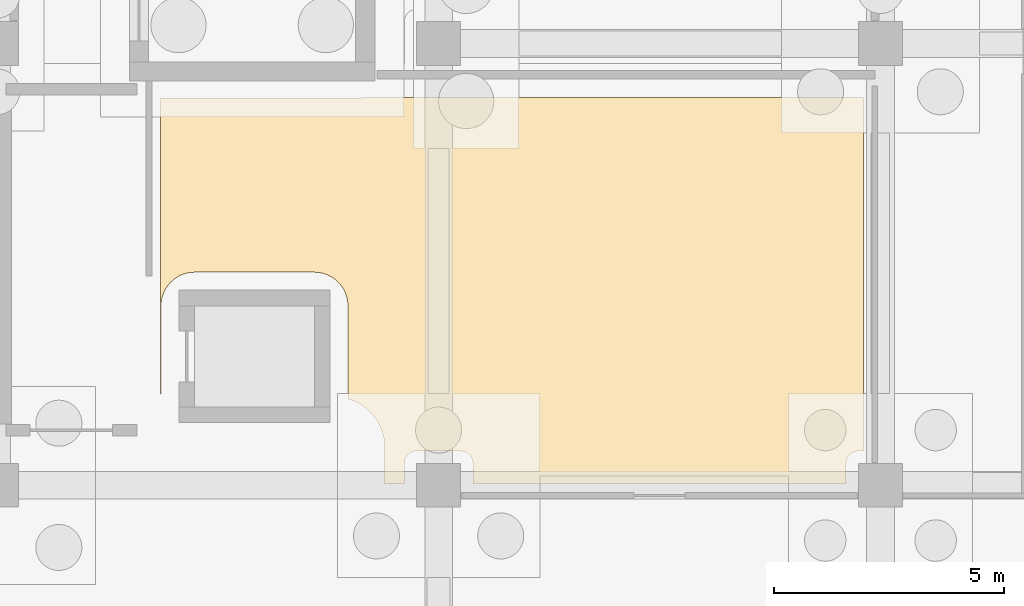
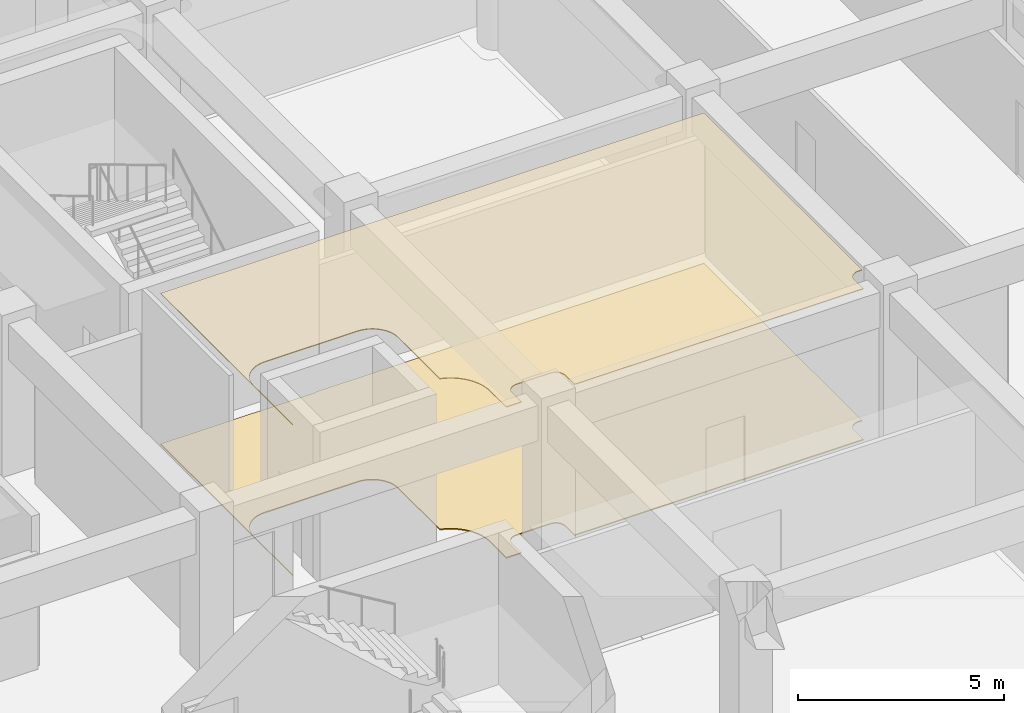
# One storey, part 27 of 47: 2 coverings.
"""IFC4 building model written with IfcOpenShell, lengths in metres."""

from ifc_helpers import new_model, si_unit, direction, frame, origin, place, context, subcontext, project, spatial, polyline, outline, extrude, material, layer, layer_set, type_object, element, save


model = new_model("IFC4")

# Units and contexts
model_context = context("Model", 3, precision=1e-05, world=origin(), true_north=direction((0.0, 1.0)))
body_context = subcontext(model_context, "Body", "Model", "MODEL_VIEW")
ifc_project = project(units=[si_unit("LENGTHUNIT", "METRE"), si_unit("AREAUNIT", "SQUARE_METRE"), si_unit("VOLUMEUNIT", "CUBIC_METRE"), si_unit("PLANEANGLEUNIT", "RADIAN"), si_unit("MASSUNIT", "GRAM", prefix="KILO")], contexts=[model_context])

# Site, building, storey
site_placement = place(None, origin())
site = spatial("IfcSite", under=ifc_project, at=site_placement, CompositionType="ELEMENT")
building_placement = place(site_placement, origin())
building = spatial("IfcBuilding", under=site, at=building_placement, Name="Cendralis Terraced Arcade", CompositionType="ELEMENT")
storey_placement = place(building_placement, frame((0.0, 0.0, -4.800048828125)))
storey = spatial("IfcBuildingStorey", under=building, at=storey_placement, Name="B1", CompositionType="ELEMENT", Elevation=-4.800048828125)

# Coverings
ifc_material_1 = material(Name="Gypsum plasterboard acoustic partition")
ifc_layer_1 = layer(ifc_material_1, 0.02490234375, Name="COV-CEIL-ACOU-25")
ifc_layer_set_1 = layer_set([ifc_layer_1], Name="Gypsum plasterboard acoustic partition")
covering_type_1 = type_object("IfcCoveringType", Name="COV-CEIL-ACOU-25", PredefinedType="CEILING", material=ifc_layer_set_1)
covering_1_placement = place(storey_placement, frame((0.0, 0.0, 4.47509765625)))
element("IfcCovering", 1, at=covering_1_placement, inside=storey, type_object=covering_type_1, Name="Acoustic Soffit Ceiling B1-008", PredefinedType="CEILING", context=body_context, shape_type="SweptSolid", body=[
    extrude(outline(polyline([(51.56005859375, 27.610107421875), (55.800048828125, 27.610107421875), (55.80615234375, 27.610107421875), (55.81201171875, 27.610107421875), (55.818115234375, 27.6103515625), (55.859375, 27.612548828125), (55.87158203125, 27.61328125), (55.88330078125, 27.614501953125), (55.8955078125, 27.615966796875), (55.936279296875, 27.6220703125), (55.9482421875, 27.624267578125), (55.9599609375, 27.62646484375), (55.9716796875, 27.629150390625), (55.97509765625, 27.6298828125), (66.830078125, 27.6298828125), (66.830078125, 19.945068359375), (66.72509765625, 19.945068359375), (66.712646484375, 19.944580078125), (66.710693359375, 19.944580078125), (66.686279296875, 19.942138671875), (66.684326171875, 19.94189453125), (66.660400390625, 19.93701171875), (66.658447265625, 19.9365234375), (66.635009765625, 19.929443359375), (66.633056640625, 19.928955078125), (66.610595703125, 19.91943359375), (66.608642578125, 19.918701171875), (66.5869140625, 19.906982421875), (66.58544921875, 19.906005859375), (66.56494140625, 19.892333984375), (66.5634765625, 19.891357421875), (66.54443359375, 19.875732421875), (66.54296875, 19.87451171875), (66.525634765625, 19.85693359375), (66.5244140625, 19.855712890625), (66.5087890625, 19.836669921875), (66.507568359375, 19.8349609375), (66.493896484375, 19.814697265625), (66.492919921875, 19.81298828125), (66.4814453125, 19.791259765625), (66.48046875, 19.78955078125), (66.47119140625, 19.766845703125), (66.470458984375, 19.764892578125), (66.46337890625, 19.74169921875), (66.462890625, 19.739501953125), (66.4580078125, 19.715576171875), (66.457763671875, 19.713623046875), (66.455322265625, 19.689208984375), (66.455322265625, 19.687255859375), (66.455078125, 19.675048828125), (66.455078125, 19.22998046875), (58.344970703125, 19.22998046875), (58.344970703125, 19.675048828125), (58.3447265625, 19.687255859375), (58.344482421875, 19.689208984375), (58.34228515625, 19.713623046875), (58.341796875, 19.715576171875), (58.337158203125, 19.739501953125), (58.336669921875, 19.74169921875), (58.32958984375, 19.764892578125), (58.328857421875, 19.766845703125), (58.319580078125, 19.78955078125), (58.318603515625, 19.791259765625), (58.30712890625, 19.81298828125), (58.30615234375, 19.814697265625), (58.29248046875, 19.8349609375), (58.291259765625, 19.836669921875), (58.275634765625, 19.855712890625), (58.2744140625, 19.85693359375), (58.257080078125, 19.87451171875), (58.255615234375, 19.875732421875), (58.236572265625, 19.891357421875), (58.235107421875, 19.892333984375), (58.214599609375, 19.906005859375), (58.212890625, 19.906982421875), (58.19140625, 19.918701171875), (58.189453125, 19.91943359375), (58.1669921875, 19.928955078125), (58.1650390625, 19.929443359375), (58.1416015625, 19.9365234375), (58.1396484375, 19.93701171875), (58.115478515625, 19.94189453125), (58.113525390625, 19.942138671875), (58.089111328125, 19.944580078125), (58.08740234375, 19.944580078125), (58.074951171875, 19.945068359375), (57.125, 19.945068359375), (57.11279296875, 19.944580078125), (57.11083984375, 19.944580078125), (57.08642578125, 19.942138671875), (57.08447265625, 19.94189453125), (57.060302734375, 19.93701171875), (57.058349609375, 19.9365234375), (57.034912109375, 19.929443359375), (57.033203125, 19.928955078125), (57.010498046875, 19.91943359375), (57.0087890625, 19.918701171875), (56.987060546875, 19.906982421875), (56.9853515625, 19.906005859375), (56.965087890625, 19.892333984375), (56.96337890625, 19.891357421875), (56.9443359375, 19.875732421875), (56.943115234375, 19.87451171875), (56.925537109375, 19.85693359375), (56.92431640625, 19.855712890625), (56.90869140625, 19.836669921875), (56.90771484375, 19.8349609375), (56.893798828125, 19.814697265625), (56.892822265625, 19.81298828125), (56.88134765625, 19.791259765625), (56.880615234375, 19.78955078125), (56.87109375, 19.766845703125), (56.87060546875, 19.764892578125), (56.86328125, 19.74169921875), (56.86279296875, 19.739501953125), (56.858154296875, 19.715576171875), (56.85791015625, 19.713623046875), (56.85546875, 19.689208984375), (56.855224609375, 19.687255859375), (56.85498046875, 19.675048828125), (56.85498046875, 19.22998046875), (56.429931640625, 19.22998046875), (56.429931640625, 20.014892578125), (56.429931640625, 20.018310546875), (56.429931640625, 20.021240234375), (56.429931640625, 20.0244140625), (56.4296875, 20.030517578125), (56.4296875, 20.033447265625), (56.429443359375, 20.03662109375), (56.429443359375, 20.039794921875), (56.42626953125, 20.10205078125), (56.42578125, 20.108154296875), (56.42529296875, 20.1142578125), (56.4248046875, 20.12060546875), (56.423583984375, 20.132568359375), (56.4228515625, 20.138916015625), (56.422119140625, 20.144775390625), (56.42138671875, 20.15087890625), (56.411865234375, 20.212646484375), (56.410888671875, 20.218994140625), (56.409912109375, 20.224853515625), (56.40869140625, 20.23095703125), (56.40625, 20.242919921875), (56.40478515625, 20.2490234375), (56.403564453125, 20.2548828125), (56.402099609375, 20.260986328125), (56.386474609375, 20.3212890625), (56.385009765625, 20.327392578125), (56.38330078125, 20.333251953125), (56.381591796875, 20.33935546875), (56.3779296875, 20.350830078125), (56.3759765625, 20.356689453125), (56.3740234375, 20.362548828125), (56.371826171875, 20.368408203125), (56.350341796875, 20.427001953125), (56.34814453125, 20.432861328125), (56.345947265625, 20.4384765625), (56.343505859375, 20.4443359375), (56.3388671875, 20.455322265625), (56.336181640625, 20.461181640625), (56.333740234375, 20.466552734375), (56.3310546875, 20.472412109375), (56.3037109375, 20.5283203125), (56.301025390625, 20.533935546875), (56.298095703125, 20.539306640625), (56.295166015625, 20.544921875), (56.289306640625, 20.555419921875), (56.286376953125, 20.56103515625), (56.283203125, 20.566162109375), (56.280029296875, 20.571533203125), (56.247314453125, 20.62451171875), (56.243896484375, 20.6298828125), (56.240478515625, 20.635009765625), (56.237060546875, 20.64013671875), (56.230224609375, 20.650146484375), (56.2265625, 20.6552734375), (56.222900390625, 20.66015625), (56.21923828125, 20.665283203125), (56.181396484375, 20.714599609375), (56.177490234375, 20.719482421875), (56.173583984375, 20.724365234375), (56.169677734375, 20.729248046875), (56.161865234375, 20.73828125), (56.15771484375, 20.7431640625), (56.153564453125, 20.74755859375), (56.1494140625, 20.752197265625), (56.106689453125, 20.797607421875), (56.102294921875, 20.80224609375), (56.09814453125, 20.806396484375), (56.093505859375, 20.810791015625), (56.0849609375, 20.8193359375), (56.080322265625, 20.823486328125), (56.07568359375, 20.82763671875), (56.071044921875, 20.831787109375), (56.024169921875, 20.872802734375), (56.019287109375, 20.876708984375), (56.0146484375, 20.880615234375), (56.009765625, 20.884521484375), (56.000244140625, 20.89208984375), (55.9951171875, 20.89599609375), (55.990478515625, 20.8994140625), (55.9853515625, 20.903076171875), (55.934326171875, 20.939208984375), (55.92919921875, 20.942626953125), (55.924072265625, 20.946044921875), (55.9189453125, 20.949462890625), (55.90869140625, 20.955810546875), (55.9033203125, 20.959228515625), (55.898193359375, 20.96240234375), (55.892578125, 20.965576171875), (55.83837890625, 20.99609375), (55.8330078125, 20.999267578125), (55.82763671875, 21.001953125), (55.822021484375, 21.0048828125), (55.811279296875, 21.01025390625), (55.805419921875, 21.012939453125), (55.800048828125, 21.015625), (55.794189453125, 21.018310546875), (55.7373046875, 21.043212890625), (55.7314453125, 21.045654296875), (55.725830078125, 21.048095703125), (55.719970703125, 21.05029296875), (55.708740234375, 21.0546875), (55.702880859375, 21.056884765625), (55.697021484375, 21.058837890625), (55.691162109375, 21.060791015625), (55.6318359375, 21.080078125), (55.6298828125, 21.08056640625), (55.6298828125, 23.10009765625), (55.6298828125, 23.106201171875), (55.6298828125, 23.112060546875), (55.629638671875, 23.1181640625), (55.627685546875, 23.1533203125), (55.626953125, 23.165771484375), (55.625732421875, 23.177490234375), (55.624267578125, 23.189697265625), (55.619140625, 23.224609375), (55.616943359375, 23.236572265625), (55.61474609375, 23.248291015625), (55.612060546875, 23.260009765625), (55.603515625, 23.29443359375), (55.60009765625, 23.30615234375), (55.5966796875, 23.3173828125), (55.593017578125, 23.3291015625), (55.5810546875, 23.3623046875), (55.57666015625, 23.373779296875), (55.572021484375, 23.384765625), (55.567138671875, 23.39599609375), (55.552001953125, 23.427978515625), (55.54638671875, 23.43896484375), (55.541015625, 23.44921875), (55.534912109375, 23.4599609375), (55.5166015625, 23.490234375), (55.510009765625, 23.50048828125), (55.503662109375, 23.510498046875), (55.49658203125, 23.5205078125), (55.4755859375, 23.548828125), (55.468017578125, 23.55859375), (55.46044921875, 23.567626953125), (55.452392578125, 23.576904296875), (55.4287109375, 23.60302734375), (55.420166015625, 23.61181640625), (55.411865234375, 23.6201171875), (55.403076171875, 23.628662109375), (55.376953125, 23.65234375), (55.36767578125, 23.660400390625), (55.3583984375, 23.66796875), (55.348876953125, 23.675537109375), (55.3203125, 23.696533203125), (55.310302734375, 23.70361328125), (55.300537109375, 23.710205078125), (55.290283203125, 23.716796875), (55.260009765625, 23.73486328125), (55.249267578125, 23.740966796875), (55.239013671875, 23.74658203125), (55.227783203125, 23.751953125), (55.196044921875, 23.76708984375), (55.184814453125, 23.77197265625), (55.173828125, 23.776611328125), (55.162353515625, 23.781005859375), (55.129150390625, 23.79296875), (55.117431640625, 23.796630859375), (55.106201171875, 23.800048828125), (55.094482421875, 23.803466796875), (55.06005859375, 23.81201171875), (55.048095703125, 23.814697265625), (55.03662109375, 23.81689453125), (55.0244140625, 23.819091796875), (54.989501953125, 23.82421875), (54.977294921875, 23.82568359375), (54.9658203125, 23.826904296875), (54.953369140625, 23.827880859375), (54.918212890625, 23.82958984375), (54.912109375, 23.829833984375), (54.906005859375, 23.829833984375), (54.89990234375, 23.830078125), (52.300048828125, 23.830078125), (52.2939453125, 23.829833984375), (52.2880859375, 23.829833984375), (52.28173828125, 23.82958984375), (52.24658203125, 23.827880859375), (52.234375, 23.826904296875), (52.22265625, 23.82568359375), (52.21044921875, 23.82421875), (52.175537109375, 23.819091796875), (52.163330078125, 23.81689453125), (52.15185546875, 23.814697265625), (52.139892578125, 23.81201171875), (52.105712890625, 23.803466796875), (52.09375, 23.800048828125), (52.08251953125, 23.796630859375), (52.07080078125, 23.79296875), (52.03759765625, 23.781005859375), (52.026123046875, 23.776611328125), (52.015380859375, 23.77197265625), (52.00390625, 23.76708984375), (51.97216796875, 23.751953125), (51.961181640625, 23.74658203125), (51.95068359375, 23.740966796875), (51.940185546875, 23.73486328125), (51.909912109375, 23.716796875), (51.8994140625, 23.710205078125), (51.8896484375, 23.70361328125), (51.879638671875, 23.696533203125), (51.851318359375, 23.675537109375), (51.841552734375, 23.66796875), (51.83251953125, 23.660400390625), (51.822998046875, 23.65234375), (51.797119140625, 23.628662109375), (51.7880859375, 23.6201171875), (51.77978515625, 23.61181640625), (51.771240234375, 23.60302734375), (51.74755859375, 23.576904296875), (51.739501953125, 23.567626953125), (51.732177734375, 23.55859375), (51.724609375, 23.548828125), (51.70361328125, 23.5205078125), (51.6962890625, 23.510498046875), (51.68994140625, 23.50048828125), (51.683349609375, 23.490234375), (51.6650390625, 23.4599609375), (51.6591796875, 23.44921875), (51.653564453125, 23.43896484375), (51.64794921875, 23.427978515625), (51.6328125, 23.39599609375), (51.6279296875, 23.384765625), (51.623291015625, 23.373779296875), (51.618896484375, 23.3623046875), (51.607177734375, 23.3291015625), (51.603271484375, 23.3173828125), (51.599853515625, 23.30615234375), (51.5966796875, 23.29443359375), (51.587890625, 23.260009765625), (51.585205078125, 23.248291015625), (51.5830078125, 23.236572265625), (51.580810546875, 23.224609375), (51.57568359375, 23.189697265625), (51.57421875, 23.177490234375), (51.572998046875, 23.165771484375), (51.572265625, 23.1533203125), (51.5703125, 23.1181640625), (51.5703125, 23.112060546875), (51.570068359375, 23.106201171875), (51.570068359375, 23.10009765625), (51.570068359375, 21.188720703125), (51.56005859375, 21.187255859375), (51.56005859375, 27.610107421875)])), origin(), (0.0, 0.0, 1.0), 0.02490234375),
])
ifc_material_2 = material(Name="Polished Bogota limestone terrazzo flooring", Category="masonry")
ifc_layer_2 = layer(ifc_material_2, 0.030029296875, Name="COV-FLR-TERZ-30")
ifc_layer_set_2 = layer_set([ifc_layer_2], Name="Polished Bogota limestone terrazzo flooring")
covering_type_2 = type_object("IfcCoveringType", Name="COV-FLR-TERZ-30", PredefinedType="FLOORING", material=ifc_layer_set_2)
covering_2_placement = place(storey_placement, origin())
element("IfcCovering", 2, at=covering_2_placement, inside=storey, type_object=covering_type_2, Name="Interior Finish Flooring B1-008", PredefinedType="FLOORING", context=body_context, shape_type="SweptSolid", body=[
    extrude(outline(polyline([(51.56005859375, 27.610107421875), (55.800048828125, 27.610107421875), (55.80615234375, 27.610107421875), (55.81201171875, 27.610107421875), (55.818115234375, 27.6103515625), (55.859375, 27.612548828125), (55.87158203125, 27.61328125), (55.88330078125, 27.614501953125), (55.8955078125, 27.615966796875), (55.936279296875, 27.6220703125), (55.9482421875, 27.624267578125), (55.9599609375, 27.62646484375), (55.9716796875, 27.629150390625), (55.97509765625, 27.6298828125), (66.830078125, 27.6298828125), (66.830078125, 19.945068359375), (66.72509765625, 19.945068359375), (66.712646484375, 19.944580078125), (66.710693359375, 19.944580078125), (66.686279296875, 19.942138671875), (66.684326171875, 19.94189453125), (66.660400390625, 19.93701171875), (66.658447265625, 19.9365234375), (66.635009765625, 19.929443359375), (66.633056640625, 19.928955078125), (66.610595703125, 19.91943359375), (66.608642578125, 19.918701171875), (66.5869140625, 19.906982421875), (66.58544921875, 19.906005859375), (66.56494140625, 19.892333984375), (66.5634765625, 19.891357421875), (66.54443359375, 19.875732421875), (66.54296875, 19.87451171875), (66.525634765625, 19.85693359375), (66.5244140625, 19.855712890625), (66.5087890625, 19.836669921875), (66.507568359375, 19.8349609375), (66.493896484375, 19.814697265625), (66.492919921875, 19.81298828125), (66.4814453125, 19.791259765625), (66.48046875, 19.78955078125), (66.47119140625, 19.766845703125), (66.470458984375, 19.764892578125), (66.46337890625, 19.74169921875), (66.462890625, 19.739501953125), (66.4580078125, 19.715576171875), (66.457763671875, 19.713623046875), (66.455322265625, 19.689208984375), (66.455322265625, 19.687255859375), (66.455078125, 19.675048828125), (66.455078125, 19.22998046875), (58.344970703125, 19.22998046875), (58.344970703125, 19.675048828125), (58.3447265625, 19.687255859375), (58.344482421875, 19.689208984375), (58.34228515625, 19.713623046875), (58.341796875, 19.715576171875), (58.337158203125, 19.739501953125), (58.336669921875, 19.74169921875), (58.32958984375, 19.764892578125), (58.328857421875, 19.766845703125), (58.319580078125, 19.78955078125), (58.318603515625, 19.791259765625), (58.30712890625, 19.81298828125), (58.30615234375, 19.814697265625), (58.29248046875, 19.8349609375), (58.291259765625, 19.836669921875), (58.275634765625, 19.855712890625), (58.2744140625, 19.85693359375), (58.257080078125, 19.87451171875), (58.255615234375, 19.875732421875), (58.236572265625, 19.891357421875), (58.235107421875, 19.892333984375), (58.214599609375, 19.906005859375), (58.212890625, 19.906982421875), (58.19140625, 19.918701171875), (58.189453125, 19.91943359375), (58.1669921875, 19.928955078125), (58.1650390625, 19.929443359375), (58.1416015625, 19.9365234375), (58.1396484375, 19.93701171875), (58.115478515625, 19.94189453125), (58.113525390625, 19.942138671875), (58.089111328125, 19.944580078125), (58.08740234375, 19.944580078125), (58.074951171875, 19.945068359375), (57.125, 19.945068359375), (57.11279296875, 19.944580078125), (57.11083984375, 19.944580078125), (57.08642578125, 19.942138671875), (57.08447265625, 19.94189453125), (57.060302734375, 19.93701171875), (57.058349609375, 19.9365234375), (57.034912109375, 19.929443359375), (57.033203125, 19.928955078125), (57.010498046875, 19.91943359375), (57.0087890625, 19.918701171875), (56.987060546875, 19.906982421875), (56.9853515625, 19.906005859375), (56.965087890625, 19.892333984375), (56.96337890625, 19.891357421875), (56.9443359375, 19.875732421875), (56.943115234375, 19.87451171875), (56.925537109375, 19.85693359375), (56.92431640625, 19.855712890625), (56.90869140625, 19.836669921875), (56.90771484375, 19.8349609375), (56.893798828125, 19.814697265625), (56.892822265625, 19.81298828125), (56.88134765625, 19.791259765625), (56.880615234375, 19.78955078125), (56.87109375, 19.766845703125), (56.87060546875, 19.764892578125), (56.86328125, 19.74169921875), (56.86279296875, 19.739501953125), (56.858154296875, 19.715576171875), (56.85791015625, 19.713623046875), (56.85546875, 19.689208984375), (56.855224609375, 19.687255859375), (56.85498046875, 19.675048828125), (56.85498046875, 19.22998046875), (56.429931640625, 19.22998046875), (56.429931640625, 20.014892578125), (56.429931640625, 20.018310546875), (56.429931640625, 20.021240234375), (56.429931640625, 20.0244140625), (56.4296875, 20.030517578125), (56.4296875, 20.033447265625), (56.429443359375, 20.03662109375), (56.429443359375, 20.039794921875), (56.42626953125, 20.10205078125), (56.42578125, 20.108154296875), (56.42529296875, 20.1142578125), (56.4248046875, 20.12060546875), (56.423583984375, 20.132568359375), (56.4228515625, 20.138916015625), (56.422119140625, 20.144775390625), (56.42138671875, 20.15087890625), (56.411865234375, 20.212646484375), (56.410888671875, 20.218994140625), (56.409912109375, 20.224853515625), (56.40869140625, 20.23095703125), (56.40625, 20.242919921875), (56.40478515625, 20.2490234375), (56.403564453125, 20.2548828125), (56.402099609375, 20.260986328125), (56.386474609375, 20.3212890625), (56.385009765625, 20.327392578125), (56.38330078125, 20.333251953125), (56.381591796875, 20.33935546875), (56.3779296875, 20.350830078125), (56.3759765625, 20.356689453125), (56.3740234375, 20.362548828125), (56.371826171875, 20.368408203125), (56.350341796875, 20.427001953125), (56.34814453125, 20.432861328125), (56.345947265625, 20.4384765625), (56.343505859375, 20.4443359375), (56.3388671875, 20.455322265625), (56.336181640625, 20.461181640625), (56.333740234375, 20.466552734375), (56.3310546875, 20.472412109375), (56.3037109375, 20.5283203125), (56.301025390625, 20.533935546875), (56.298095703125, 20.539306640625), (56.295166015625, 20.544921875), (56.289306640625, 20.555419921875), (56.286376953125, 20.56103515625), (56.283203125, 20.566162109375), (56.280029296875, 20.571533203125), (56.247314453125, 20.62451171875), (56.243896484375, 20.6298828125), (56.240478515625, 20.635009765625), (56.237060546875, 20.64013671875), (56.230224609375, 20.650146484375), (56.2265625, 20.6552734375), (56.222900390625, 20.66015625), (56.21923828125, 20.665283203125), (56.181396484375, 20.714599609375), (56.177490234375, 20.719482421875), (56.173583984375, 20.724365234375), (56.169677734375, 20.729248046875), (56.161865234375, 20.73828125), (56.15771484375, 20.7431640625), (56.153564453125, 20.74755859375), (56.1494140625, 20.752197265625), (56.106689453125, 20.797607421875), (56.102294921875, 20.80224609375), (56.09814453125, 20.806396484375), (56.093505859375, 20.810791015625), (56.0849609375, 20.8193359375), (56.080322265625, 20.823486328125), (56.07568359375, 20.82763671875), (56.071044921875, 20.831787109375), (56.024169921875, 20.872802734375), (56.019287109375, 20.876708984375), (56.0146484375, 20.880615234375), (56.009765625, 20.884521484375), (56.000244140625, 20.89208984375), (55.9951171875, 20.89599609375), (55.990478515625, 20.8994140625), (55.9853515625, 20.903076171875), (55.934326171875, 20.939208984375), (55.92919921875, 20.942626953125), (55.924072265625, 20.946044921875), (55.9189453125, 20.949462890625), (55.90869140625, 20.955810546875), (55.9033203125, 20.959228515625), (55.898193359375, 20.96240234375), (55.892578125, 20.965576171875), (55.83837890625, 20.99609375), (55.8330078125, 20.999267578125), (55.82763671875, 21.001953125), (55.822021484375, 21.0048828125), (55.811279296875, 21.01025390625), (55.805419921875, 21.012939453125), (55.800048828125, 21.015625), (55.794189453125, 21.018310546875), (55.7373046875, 21.043212890625), (55.7314453125, 21.045654296875), (55.725830078125, 21.048095703125), (55.719970703125, 21.05029296875), (55.708740234375, 21.0546875), (55.702880859375, 21.056884765625), (55.697021484375, 21.058837890625), (55.691162109375, 21.060791015625), (55.6318359375, 21.080078125), (55.6298828125, 21.08056640625), (55.6298828125, 23.10009765625), (55.6298828125, 23.106201171875), (55.6298828125, 23.112060546875), (55.629638671875, 23.1181640625), (55.627685546875, 23.1533203125), (55.626953125, 23.165771484375), (55.625732421875, 23.177490234375), (55.624267578125, 23.189697265625), (55.619140625, 23.224609375), (55.616943359375, 23.236572265625), (55.61474609375, 23.248291015625), (55.612060546875, 23.260009765625), (55.603515625, 23.29443359375), (55.60009765625, 23.30615234375), (55.5966796875, 23.3173828125), (55.593017578125, 23.3291015625), (55.5810546875, 23.3623046875), (55.57666015625, 23.373779296875), (55.572021484375, 23.384765625), (55.567138671875, 23.39599609375), (55.552001953125, 23.427978515625), (55.54638671875, 23.43896484375), (55.541015625, 23.44921875), (55.534912109375, 23.4599609375), (55.5166015625, 23.490234375), (55.510009765625, 23.50048828125), (55.503662109375, 23.510498046875), (55.49658203125, 23.5205078125), (55.4755859375, 23.548828125), (55.468017578125, 23.55859375), (55.46044921875, 23.567626953125), (55.452392578125, 23.576904296875), (55.4287109375, 23.60302734375), (55.420166015625, 23.61181640625), (55.411865234375, 23.6201171875), (55.403076171875, 23.628662109375), (55.376953125, 23.65234375), (55.36767578125, 23.660400390625), (55.3583984375, 23.66796875), (55.348876953125, 23.675537109375), (55.3203125, 23.696533203125), (55.310302734375, 23.70361328125), (55.300537109375, 23.710205078125), (55.290283203125, 23.716796875), (55.260009765625, 23.73486328125), (55.249267578125, 23.740966796875), (55.239013671875, 23.74658203125), (55.227783203125, 23.751953125), (55.196044921875, 23.76708984375), (55.184814453125, 23.77197265625), (55.173828125, 23.776611328125), (55.162353515625, 23.781005859375), (55.129150390625, 23.79296875), (55.117431640625, 23.796630859375), (55.106201171875, 23.800048828125), (55.094482421875, 23.803466796875), (55.06005859375, 23.81201171875), (55.048095703125, 23.814697265625), (55.03662109375, 23.81689453125), (55.0244140625, 23.819091796875), (54.989501953125, 23.82421875), (54.977294921875, 23.82568359375), (54.9658203125, 23.826904296875), (54.953369140625, 23.827880859375), (54.918212890625, 23.82958984375), (54.912109375, 23.829833984375), (54.906005859375, 23.829833984375), (54.89990234375, 23.830078125), (52.300048828125, 23.830078125), (52.2939453125, 23.829833984375), (52.2880859375, 23.829833984375), (52.28173828125, 23.82958984375), (52.24658203125, 23.827880859375), (52.234375, 23.826904296875), (52.22265625, 23.82568359375), (52.21044921875, 23.82421875), (52.175537109375, 23.819091796875), (52.163330078125, 23.81689453125), (52.15185546875, 23.814697265625), (52.139892578125, 23.81201171875), (52.105712890625, 23.803466796875), (52.09375, 23.800048828125), (52.08251953125, 23.796630859375), (52.07080078125, 23.79296875), (52.03759765625, 23.781005859375), (52.026123046875, 23.776611328125), (52.015380859375, 23.77197265625), (52.00390625, 23.76708984375), (51.97216796875, 23.751953125), (51.961181640625, 23.74658203125), (51.95068359375, 23.740966796875), (51.940185546875, 23.73486328125), (51.909912109375, 23.716796875), (51.8994140625, 23.710205078125), (51.8896484375, 23.70361328125), (51.879638671875, 23.696533203125), (51.851318359375, 23.675537109375), (51.841552734375, 23.66796875), (51.83251953125, 23.660400390625), (51.822998046875, 23.65234375), (51.797119140625, 23.628662109375), (51.7880859375, 23.6201171875), (51.77978515625, 23.61181640625), (51.771240234375, 23.60302734375), (51.74755859375, 23.576904296875), (51.739501953125, 23.567626953125), (51.732177734375, 23.55859375), (51.724609375, 23.548828125), (51.70361328125, 23.5205078125), (51.6962890625, 23.510498046875), (51.68994140625, 23.50048828125), (51.683349609375, 23.490234375), (51.6650390625, 23.4599609375), (51.6591796875, 23.44921875), (51.653564453125, 23.43896484375), (51.64794921875, 23.427978515625), (51.6328125, 23.39599609375), (51.6279296875, 23.384765625), (51.623291015625, 23.373779296875), (51.618896484375, 23.3623046875), (51.607177734375, 23.3291015625), (51.603271484375, 23.3173828125), (51.599853515625, 23.30615234375), (51.5966796875, 23.29443359375), (51.587890625, 23.260009765625), (51.585205078125, 23.248291015625), (51.5830078125, 23.236572265625), (51.580810546875, 23.224609375), (51.57568359375, 23.189697265625), (51.57421875, 23.177490234375), (51.572998046875, 23.165771484375), (51.572265625, 23.1533203125), (51.5703125, 23.1181640625), (51.5703125, 23.112060546875), (51.570068359375, 23.106201171875), (51.570068359375, 23.10009765625), (51.570068359375, 21.188720703125), (51.56005859375, 21.187255859375), (51.56005859375, 27.610107421875)])), origin(), (0.0, 0.0, 1.0), 0.030029296875),
])

save(model, "model.ifc")
